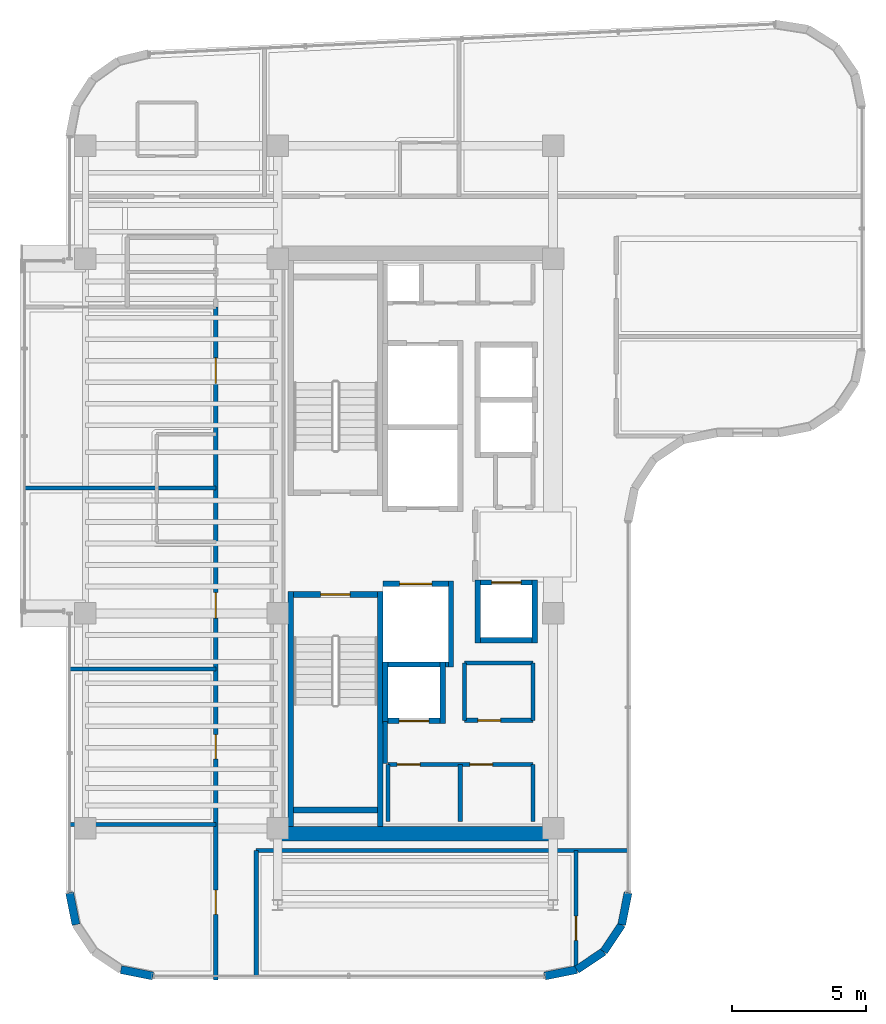
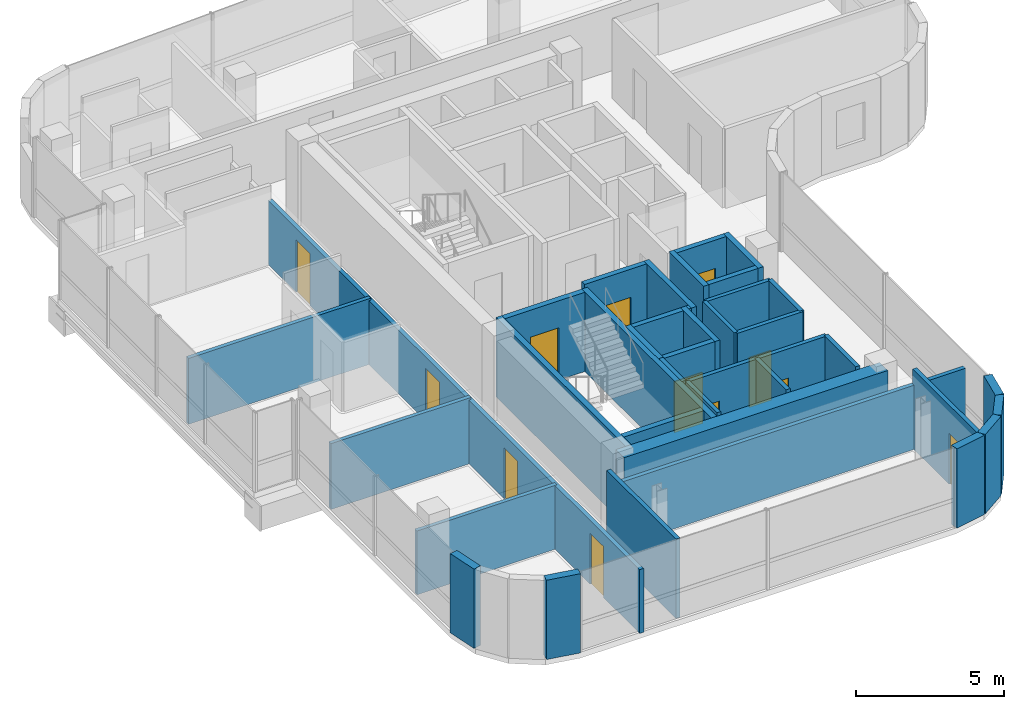
# One storey, part 14 of 20: 37 walls, 12 doors, 12 openings.
"""IFC4 building model written with IfcOpenShell, lengths in metres."""

from ifc_helpers import new_model, si_unit, direction, frame, frame_2d, origin, place, context, subcontext, project, spatial, rectangle, extrude, material, layer, layer_set, type_object, element, fill, save


model = new_model("IFC4")

# Units and contexts
model_context = context("Model", 3, precision=1e-05, world=origin(), true_north=direction((0.0, 1.0)))
body_context = subcontext(model_context, "Body", "Model", "MODEL_VIEW")
ifc_project = project(units=[si_unit("LENGTHUNIT", "METRE"), si_unit("AREAUNIT", "SQUARE_METRE"), si_unit("VOLUMEUNIT", "CUBIC_METRE"), si_unit("PLANEANGLEUNIT", "RADIAN"), si_unit("MASSUNIT", "GRAM", prefix="KILO")], contexts=[model_context])

# Site, building, storey
site_placement = place(None, origin())
site = spatial("IfcSite", under=ifc_project, at=site_placement, CompositionType="ELEMENT")
building_placement = place(site_placement, origin())
building = spatial("IfcBuilding", under=site, at=building_placement, Name="Valdorenza Pilgrim Sanctuary Tower", CompositionType="ELEMENT")
storey_placement = place(building_placement, frame((0.0, 0.0, 280.0)))
storey = spatial("IfcBuildingStorey", under=building, at=storey_placement, Name="L73", CompositionType="ELEMENT", Elevation=280.0)

# Wall
ifc_material_1 = material(Name="Acoustic twin-stud gypsum partition", Category="gypsum")
ifc_layer_1 = layer(ifc_material_1, 0.159912109375, Name="Acoustic twin-stud gypsum partition")
ifc_layer_set_1 = layer_set([ifc_layer_1], Name="Acoustic twin-stud gypsum partition")
wall_type_1 = type_object("IfcWallType", Name="WAL-COR-160", PredefinedType="PARTITIONING", material=ifc_layer_set_1)
wall_1_placement = place(storey_placement, frame((-18.64990234375, -8.179931640625, 0.0), z_axis=(0.0, 0.0, 1.0), x_axis=(0.0, 1.0, 0.0)))
element("IfcWall", 1, at=wall_1_placement, inside=storey, type_object=wall_type_1, Name="L73 Core A South Lift Hall West Wall", PredefinedType="PARTITIONING", context=body_context, shape_type="SweptSolid", body=[
    extrude(rectangle(XDim=1.559814453125, YDim=0.159912109375, at=frame_2d((0.77978515625, 0.0))), origin(), (0.0, 0.0, 1.0), 3.260009765625),
])

# Wall, openings, doors
wall_2_placement = place(storey_placement, frame((-18.550048828125, -8.219970703125, 0.0), z_axis=(0.0, 0.0, 1.0), x_axis=(1.0, 0.0, 0.0)))
wall_2 = element("IfcWall", 2, at=wall_2_placement, inside=storey, type_object=wall_type_1, Name="L73 Freed Shaft 1 North Wall", PredefinedType="PARTITIONING", context=body_context, shape_type="SweptSolid", body=[
    extrude(rectangle(XDim=5.400146484375, YDim=0.159912109375, at=frame_2d((2.7001953125, 0.0))), origin(), (0.0, 0.0, 1.0), 3.260009765625),
])
opening_1_placement = place(wall_2_placement, frame((0.35009765625, 0.0, 0.0)))
opening_1 = element("IfcOpeningElement", 3, at=opening_1_placement, cuts=wall_2, Name="Opening DR-RS1", PredefinedType="OPENING", context=body_context, shape_type="SweptSolid", body=[
    extrude(rectangle(XDim=0.85009765625, YDim=2.050048828125, at=frame_2d((0.425048828125, 1.02490234375))), frame((0.0, 0.0947265625, 0.0), z_axis=(0.0, -1.0, 0.0), x_axis=(1.0, 0.0, 0.0)), (0.0, 0.0, 1.0), 0.189697265625),
])
opening_2_placement = place(wall_2_placement, frame((3.050048828125, 0.0, 0.0)))
opening_2 = element("IfcOpeningElement", 4, at=opening_2_placement, cuts=wall_2, Name="Opening DR-RS1", PredefinedType="OPENING", context=body_context, shape_type="SweptSolid", body=[
    extrude(rectangle(XDim=0.85009765625, YDim=2.050048828125, at=frame_2d((0.425048828125, 1.02490234375))), frame((0.0, 0.0947265625, 0.0), z_axis=(0.0, -1.0, 0.0), x_axis=(1.0, 0.0, 0.0)), (0.0, 0.0, 1.0), 0.189697265625),
])
ifc_material_2 = material(Name="Painted galvanized steel", Category="steel")
door_type_1 = type_object("IfcDoorType", Name="DR-RSR-850", OperationType="NOTDEFINED", PredefinedType="DOOR", material=ifc_material_2)
door_1_placement = place(opening_1_placement, origin())
door_1 = element("IfcDoor", 5, at=door_1_placement, inside=storey, type_object=door_type_1, Name="L73 Linen Store Door", OperationType="SINGLE_SWING_RIGHT", OverallHeight=2.050048828125, OverallWidth=0.85009765625, PredefinedType="DOOR", context=body_context, shape_type="SweptSolid", body=[
    extrude(rectangle(XDim=0.85009765625, YDim=2.050048828125, at=frame_2d((0.425048828125, 1.02490234375))), frame((0.0, 0.02490234375, 0.0), z_axis=(0.0, -1.0, 0.0), x_axis=(1.0, 0.0, 0.0)), (0.0, 0.0, 1.0), 0.050048828125),
])
fill(opening_1, door_1)
door_2_placement = place(opening_2_placement, origin())
door_2 = element("IfcDoor", 6, at=door_2_placement, inside=storey, type_object=door_type_1, Name="L73 Cot Store Door", OperationType="SINGLE_SWING_LEFT", OverallHeight=2.050048828125, OverallWidth=0.85009765625, PredefinedType="DOOR", context=body_context, shape_type="SweptSolid", body=[
    extrude(rectangle(XDim=0.85009765625, YDim=2.050048828125, at=frame_2d((0.425048828125, 1.02490234375))), frame((0.0, 0.02490234375, 0.0), z_axis=(0.0, -1.0, 0.0), x_axis=(1.0, 0.0, 0.0)), (0.0, 0.0, 1.0), 0.050048828125),
])
fill(opening_2, door_2)

# Walls
for number, where, z_axis, x_axis, name in (
    (7, (-13.14990234375, -10.35009765625, 0.0), (0.0, 0.0, 1.0), (0.0, 1.0, 0.0), "L73 Freed Shaft 1 East Wall"),
    (8, (-15.85009765625, -10.35009765625, 0.0), (0.0, 0.0, 1.0), (0.0, 1.0, 0.0), "L73 Freed Shaft 1 Split Wall"),
):
    element("IfcWall", number, at=place(storey_placement, frame(where, z_axis=z_axis, x_axis=x_axis)), inside=storey, type_object=wall_type_1, Name=name, PredefinedType="PARTITIONING", context=body_context, shape_type="SweptSolid", body=[
        extrude(rectangle(XDim=2.130126953125, YDim=0.159912109375, at=frame_2d((1.06494140625, 0.0))), origin(), (0.0, 0.0, 1.0), 3.260009765625),
    ])

# Wall, opening, door
wall_3_placement = place(storey_placement, frame((-15.699951171875, -6.580078125, 0.0), z_axis=(0.0, 0.0, 1.0), x_axis=(1.0, 0.0, 0.0)))
wall_3 = element("IfcWall", 9, at=wall_3_placement, inside=storey, type_object=wall_type_1, Name="L73 Freed Shaft 2 South Wall", PredefinedType="PARTITIONING", context=body_context, shape_type="SweptSolid", body=[
    extrude(rectangle(XDim=2.550048828125, YDim=0.159912109375, at=frame_2d((1.27490234375, 0.0))), origin(), (0.0, 0.0, 1.0), 3.260009765625),
])
opening_3_placement = place(wall_3_placement, frame((0.5, 0.0, 0.0)))
opening_3 = element("IfcOpeningElement", 10, at=opening_3_placement, cuts=wall_3, Name="Opening DR-RS1", PredefinedType="OPENING", context=body_context, shape_type="SweptSolid", body=[
    extrude(rectangle(XDim=0.85009765625, YDim=2.050048828125, at=frame_2d((0.425048828125, 1.02490234375))), frame((0.0, 0.0947265625, 0.0), z_axis=(0.0, -1.0, 0.0), x_axis=(1.0, 0.0, 0.0)), (0.0, 0.0, 1.0), 0.189697265625),
])
door_3_placement = place(opening_3_placement, origin())
door_3 = element("IfcDoor", 11, at=door_3_placement, inside=storey, type_object=door_type_1, Name="L73 Guest Tea Pantry Door", OperationType="SINGLE_SWING_RIGHT", OverallHeight=2.050048828125, OverallWidth=0.85009765625, PredefinedType="DOOR", context=body_context, shape_type="SweptSolid", body=[
    extrude(rectangle(XDim=0.85009765625, YDim=2.050048828125, at=frame_2d((0.425048828125, 1.02490234375))), frame((0.0, 0.02490234375, 0.0), z_axis=(0.0, -1.0, 0.0), x_axis=(1.0, 0.0, 0.0)), (0.0, 0.0, 1.0), 0.050048828125),
])
fill(opening_3, door_3)

# Walls
wall_4_placement = place(storey_placement, frame((-13.14990234375, -6.580078125, 0.0), z_axis=(0.0, 0.0, 1.0), x_axis=(0.0, 1.0, 0.0)))
element("IfcWall", 12, at=wall_4_placement, inside=storey, type_object=wall_type_1, Name="L73 Freed Shaft 2 East Wall", PredefinedType="PARTITIONING", context=body_context, shape_type="SweptSolid", body=[
    extrude(rectangle(XDim=2.130126953125, YDim=0.159912109375, at=frame_2d((1.06494140625, 0.0))), origin(), (0.0, 0.0, 1.0), 3.260009765625),
])
wall_5_placement = place(storey_placement, frame((-23.449951171875, -11.419921875, 0.0), z_axis=(0.0, 0.0, 1.0), x_axis=(1.0, 0.0, 0.0)))
element("IfcWall", 13, at=wall_5_placement, inside=storey, type_object=wall_type_1, Name="L73 South-East Pocket North Wall", PredefinedType="PARTITIONING", context=body_context, shape_type="SweptSolid", body=[
    extrude(rectangle(XDim=13.83984375, YDim=0.159912109375, at=frame_2d((6.919921875, 0.0))), origin(), (0.0, 0.0, 1.0), 2.634033203125),
])
wall_6_placement = place(storey_placement, frame((-23.449951171875, -16.090087890625, 0.0), z_axis=(0.0, 0.0, 1.0), x_axis=(0.0, 1.0, 0.0)))
element("IfcWall", 14, at=wall_6_placement, inside=storey, type_object=wall_type_1, Name="L73 South-East Pocket West Wall", PredefinedType="PARTITIONING", context=body_context, shape_type="SweptSolid", body=[
    extrude(rectangle(XDim=4.670166015625, YDim=0.159912109375, at=frame_2d((2.3349609375, 0.0))), origin(), (0.0, 0.0, 1.0), 3.260009765625),
])

# Wall, openings, doors
wall_7_placement = place(storey_placement, frame((-24.949951171875, -16.239990234375, 0.0), z_axis=(0.0, 0.0, 1.0), x_axis=(0.0, 1.0, 0.0)))
wall_7 = element("IfcWall", 15, at=wall_7_placement, inside=storey, type_object=wall_type_1, Name="L73 West Wing Corridor Wall", PredefinedType="PARTITIONING", context=body_context, shape_type="SweptSolid", body=[
    extrude(rectangle(XDim=25.0400390625, YDim=0.159912109375, at=frame_2d((12.52001953125, 0.0))), origin(), (0.0, 0.0, 1.0), 2.623046875),
])
opening_4_placement = place(wall_7_placement, frame((2.44189453125, 0.0, 0.0)))
opening_4 = element("IfcOpeningElement", 16, at=opening_4_placement, cuts=wall_7, Name="Opening DR-RM1", PredefinedType="OPENING", context=body_context, shape_type="SweptSolid", body=[
    extrude(rectangle(XDim=0.89990234375, YDim=2.10009765625, at=frame_2d((0.449951171875, 1.050048828125))), frame((0.0, 0.0947265625, 0.0), z_axis=(0.0, -1.0, 0.0), x_axis=(1.0, 0.0, 0.0)), (0.0, 0.0, 1.0), 0.189697265625),
])
opening_5_placement = place(wall_7_placement, frame((8.22705078125, 0.0, 0.0)))
opening_5 = element("IfcOpeningElement", 17, at=opening_5_placement, cuts=wall_7, Name="Opening DR-RM1", PredefinedType="OPENING", context=body_context, shape_type="SweptSolid", body=[
    extrude(rectangle(XDim=0.89990234375, YDim=2.10009765625, at=frame_2d((0.449951171875, 1.050048828125))), frame((0.0, 0.0947265625, 0.0), z_axis=(0.0, -1.0, 0.0), x_axis=(1.0, 0.0, 0.0)), (0.0, 0.0, 1.0), 0.189697265625),
])
opening_6_placement = place(wall_7_placement, frame((13.462890625, 0.0, 0.0)))
opening_6 = element("IfcOpeningElement", 18, at=opening_6_placement, cuts=wall_7, Name="Opening DR-UN1", PredefinedType="OPENING", context=body_context, shape_type="SweptSolid", body=[
    extrude(rectangle(XDim=0.949951171875, YDim=2.14990234375, at=frame_2d((0.47509765625, 1.074951171875))), frame((0.0, 0.0947265625, 0.0), z_axis=(0.0, -1.0, 0.0), x_axis=(1.0, 0.0, 0.0)), (0.0, 0.0, 1.0), 0.189697265625),
])
opening_7_placement = place(wall_7_placement, frame((22.197021484375, 0.0, 0.0)))
opening_7 = element("IfcOpeningElement", 19, at=opening_7_placement, cuts=wall_7, Name="Opening DR-UN1", PredefinedType="OPENING", context=body_context, shape_type="SweptSolid", body=[
    extrude(rectangle(XDim=0.949951171875, YDim=2.14990234375, at=frame_2d((0.47509765625, 1.074951171875))), frame((0.0, 0.0947265625, 0.0), z_axis=(0.0, -1.0, 0.0), x_axis=(1.0, 0.0, 0.0)), (0.0, 0.0, 1.0), 0.189697265625),
])
ifc_material_3 = material(Name="Solid-core European oak timber", Category="wood")
door_type_2 = type_object("IfcDoorType", Name="DR-ROOM-900", OperationType="NOTDEFINED", PredefinedType="DOOR", material=ifc_material_3)
door_4_placement = place(opening_4_placement, frame((0.89990234375, 0.0, 0.0), z_axis=(0.0, 0.0, 1.0), x_axis=(-1.0, 0.0, 0.0)))
door_4 = element("IfcDoor", 20, at=door_4_placement, inside=storey, type_object=door_type_2, Name="L73 Sacred Art Exhibition Gallery L73 Door", OperationType="SINGLE_SWING_LEFT", OverallHeight=2.10009765625, OverallWidth=0.89990234375, PredefinedType="DOOR", context=body_context, shape_type="SweptSolid", body=[
    extrude(rectangle(XDim=0.89990234375, YDim=2.10009765625, at=frame_2d((0.449951171875, 1.050048828125))), frame((0.0, 0.02490234375, 0.0), z_axis=(0.0, -1.0, 0.0), x_axis=(1.0, 0.0, 0.0)), (0.0, 0.0, 1.0), 0.050048828125),
])
fill(opening_4, door_4)
door_5_placement = place(opening_5_placement, origin())
door_5 = element("IfcDoor", 21, at=door_5_placement, inside=storey, type_object=door_type_2, Name="L73 Theological Reference Library L73 Door", OperationType="SINGLE_SWING_RIGHT", OverallHeight=2.10009765625, OverallWidth=0.89990234375, PredefinedType="DOOR", context=body_context, shape_type="SweptSolid", body=[
    extrude(rectangle(XDim=0.89990234375, YDim=2.10009765625, at=frame_2d((0.449951171875, 1.050048828125))), frame((0.0, 0.02490234375, 0.0), z_axis=(0.0, -1.0, 0.0), x_axis=(1.0, 0.0, 0.0)), (0.0, 0.0, 1.0), 0.050048828125),
])
fill(opening_5, door_5)
door_type_3 = type_object("IfcDoorType", Name="DR-UNIT-950", OperationType="NOTDEFINED", PredefinedType="DOOR", material=ifc_material_3)
door_6_placement = place(opening_6_placement, frame((0.949951171875, 0.0, 0.0), z_axis=(0.0, 0.0, 1.0), x_axis=(-1.0, 0.0, 0.0)))
door_6 = element("IfcDoor", 22, at=door_6_placement, inside=storey, type_object=door_type_3, Name="L73 Pilgrim Guest Room L73-GW1A Entrance Door", OperationType="SINGLE_SWING_LEFT", OverallHeight=2.14990234375, OverallWidth=0.949951171875, PredefinedType="DOOR", context=body_context, shape_type="SweptSolid", body=[
    extrude(rectangle(XDim=0.949951171875, YDim=2.14990234375, at=frame_2d((0.47509765625, 1.074951171875))), frame((0.0, 0.02490234375, 0.0), z_axis=(0.0, -1.0, 0.0), x_axis=(1.0, 0.0, 0.0)), (0.0, 0.0, 1.0), 0.050048828125),
])
fill(opening_6, door_6)
door_7_placement = place(opening_7_placement, frame((0.949951171875, 0.0, 0.0), z_axis=(0.0, 0.0, 1.0), x_axis=(-1.0, 0.0, 0.0)))
door_7 = element("IfcDoor", 23, at=door_7_placement, inside=storey, type_object=door_type_3, Name="L73 Pilgrim Guest Room L73-GW1B Entrance Door", OperationType="SINGLE_SWING_LEFT", OverallHeight=2.14990234375, OverallWidth=0.949951171875, PredefinedType="DOOR", context=body_context, shape_type="SweptSolid", body=[
    extrude(rectangle(XDim=0.949951171875, YDim=2.14990234375, at=frame_2d((0.47509765625, 1.074951171875))), frame((0.0, 0.02490234375, 0.0), z_axis=(0.0, -1.0, 0.0), x_axis=(1.0, 0.0, 0.0)), (0.0, 0.0, 1.0), 0.050048828125),
])
fill(opening_7, door_7)

# Wall, opening, door
wall_8_placement = place(storey_placement, frame((-11.550048828125, -15.7236328125, 0.0), z_axis=(0.0, 0.0, 1.0), x_axis=(0.0, 1.0, 0.0)))
wall_8 = element("IfcWall", 24, at=wall_8_placement, inside=storey, type_object=wall_type_1, Name="L73 South-East Concourse Wall", PredefinedType="PARTITIONING", context=body_context, shape_type="SweptSolid", body=[
    extrude(rectangle(XDim=4.3037109375, YDim=0.159912109375, at=frame_2d((2.15185546875, 0.0))), origin(), (0.0, 0.0, 1.0), 3.260009765625),
])
opening_8_placement = place(wall_8_placement, frame((0.9599609375, 0.0, 0.0)))
opening_8 = element("IfcOpeningElement", 25, at=opening_8_placement, cuts=wall_8, Name="Opening DR-RM1", PredefinedType="OPENING", context=body_context, shape_type="SweptSolid", body=[
    extrude(rectangle(XDim=0.89990234375, YDim=2.10009765625, at=frame_2d((0.449951171875, 1.050048828125))), frame((0.0, 0.0947265625, 0.0), z_axis=(0.0, -1.0, 0.0), x_axis=(1.0, 0.0, 0.0)), (0.0, 0.0, 1.0), 0.189697265625),
])
door_8_placement = place(opening_8_placement, frame((0.89990234375, 0.0, 0.0), z_axis=(0.0, 0.0, 1.0), x_axis=(-1.0, 0.0, 0.0)))
door_8 = element("IfcDoor", 26, at=door_8_placement, inside=storey, type_object=door_type_2, Name="L73 South Contemplation Lounge L73 Door", OperationType="SINGLE_SWING_LEFT", OverallHeight=2.10009765625, OverallWidth=0.89990234375, PredefinedType="DOOR", context=body_context, shape_type="SweptSolid", body=[
    extrude(rectangle(XDim=0.89990234375, YDim=2.10009765625, at=frame_2d((0.449951171875, 1.050048828125))), frame((0.0, 0.02490234375, 0.0), z_axis=(0.0, -1.0, 0.0), x_axis=(1.0, 0.0, 0.0)), (0.0, 0.0, 1.0), 0.050048828125),
])
fill(opening_8, door_8)

# Walls
ifc_material_4 = material(Name="Concrete C50/60", Category="concrete")
ifc_layer_2 = layer(ifc_material_4, 0.550048828125, Name="Concrete C50/60")
ifc_layer_set_2 = layer_set([ifc_layer_2], Name="Concrete C50/60")
wall_type_2 = type_object("IfcWallType", Name="WAL-COR-550", PredefinedType="SHEAR", material=ifc_layer_set_2)
wall_9_placement = place(storey_placement, frame((-22.64990234375, -10.800048828125, 0.0), z_axis=(0.0, 0.0, 1.0), x_axis=(1.0, 0.0, 0.0)))
element("IfcWall", 27, at=wall_9_placement, inside=storey, type_object=wall_type_2, Name="L73 Split Core A Shear Wall S", PredefinedType="SHEAR", context=body_context, shape_type="SweptSolid", body=[
    extrude(rectangle(XDim=10.25, YDim=0.550048828125, at=frame_2d((5.125, 0.0))), origin(), (0.0, 0.0, 1.0), 3.260009765625),
])
ifc_material_5 = material(Name="Honed travertine limestone", Category="masonry")
ifc_layer_3 = layer(ifc_material_5, 0.300048828125, Name="Honed travertine limestone")
ifc_layer_set_3 = layer_set([ifc_layer_3], Name="Honed travertine limestone")
wall_type_3 = type_object("IfcWallType", Name="WAL-EXT-300", PredefinedType="SOLIDWALL", material=ifc_layer_set_3)
wall_10_placement = place(storey_placement, frame((-9.610107421875, -12.9892578125, 0.0), z_axis=(0.0, 0.0, 1.0), x_axis=(-0.194996050505, -0.980804027463, 0.0)))
element("IfcWall", 28, at=wall_10_placement, inside=storey, type_object=wall_type_3, Name="L73 Rounded Wind-Corner Stone Pier 22", PredefinedType="SOLIDWALL", context=body_context, shape_type="SweptSolid", body=[
    extrude(rectangle(XDim=1.2158203125, YDim=0.300048828125, at=frame_2d((0.60791015625, 0.0))), origin(), (0.0, 0.0, 1.0), 3.260009765625),
])
for number, where, z_axis, x_axis, name in (
    (29, (-9.84716796875, -14.181640625, 0.0), (0.0, 0.0, 1.0), (-0.555635100982, -0.831426265255, 0.0), "L73 Rounded Wind-Corner Stone Pier 23"),
    (30, (-10.5166015625, -15.183349609375, 0.0), (0.0, 0.0, 1.0), (-0.831426265255, -0.555635100982, 0.0), "L73 Rounded Wind-Corner Stone Pier 24"),
):
    element("IfcWall", number, at=place(storey_placement, frame(where, z_axis=z_axis, x_axis=x_axis)), inside=storey, type_object=wall_type_3, Name=name, PredefinedType="SOLIDWALL", context=body_context, shape_type="SweptSolid", body=[
        extrude(rectangle(XDim=1.204833984375, YDim=0.300048828125, at=frame_2d((0.6025390625, 0.0))), origin(), (0.0, 0.0, 1.0), 3.260009765625),
    ])
for number, where, z_axis, x_axis, name in (
    (31, (-11.518310546875, -15.852783203125, 0.0), (0.0, 0.0, 1.0), (-0.980765602568, -0.195189223115, 0.0), "L73 Rounded Wind-Corner Stone Pier 25"),
    (32, (-27.289306640625, -16.090087890625, 0.0), (0.0, 0.0, 1.0), (-0.980765602568, 0.195189223115, 0.0), "L73 Rounded Wind-Corner Stone Pier 27"),
    (33, (-30.15283203125, -14.181640625, 0.0), (0.0, 0.0, 1.0), (-0.194996050505, 0.980804027463, 0.0), "L73 Rounded Wind-Corner Stone Pier 30"),
):
    element("IfcWall", number, at=place(storey_placement, frame(where, z_axis=z_axis, x_axis=x_axis)), inside=storey, type_object=wall_type_3, Name=name, PredefinedType="SOLIDWALL", context=body_context, shape_type="SweptSolid", body=[
        extrude(rectangle(XDim=1.2158203125, YDim=0.300048828125, at=frame_2d((0.60791015625, 0.0))), origin(), (0.0, 0.0, 1.0), 3.260009765625),
    ])
ifc_material_6 = material(Name="Autoclaved aerated concrete blockwork", Category="masonry")
ifc_layer_4 = layer(ifc_material_6, 0.199951171875, Name="Autoclaved aerated concrete blockwork")
ifc_layer_set_4 = layer_set([ifc_layer_4], Name="Autoclaved aerated concrete blockwork")
wall_type_4 = type_object("IfcWallType", Name="WAL-SHF-200", PredefinedType="MOVABLE", material=ifc_layer_set_4)
wall_11_placement = place(storey_placement, frame((-16.199951171875, -4.60009765625, 0.0), z_axis=(0.0, 0.0, 1.0), x_axis=(0.0, 1.0, 0.0)))
element("IfcWall", 34, at=wall_11_placement, inside=storey, type_object=wall_type_4, Name="L73 Lift FFL-02 Hoistway Wall East", PredefinedType="MOVABLE", context=body_context, shape_type="SweptSolid", body=[
    extrude(rectangle(XDim=3.2001953125, YDim=0.199951171875, at=frame_2d((1.60009765625, 0.0))), origin(), (0.0, 0.0, 1.0), 3.260009765625),
])
wall_12_placement = place(storey_placement, frame((-18.719970703125, -4.5, 0.0), z_axis=(0.0, 0.0, 1.0), x_axis=(1.0, 0.0, 0.0)))
element("IfcWall", 35, at=wall_12_placement, inside=storey, type_object=wall_type_4, Name="L73 Lift FFL-02 Hoistway Wall South", PredefinedType="MOVABLE", context=body_context, shape_type="SweptSolid", body=[
    extrude(rectangle(XDim=2.419921875, YDim=0.199951171875, at=frame_2d((1.2099609375, 0.0))), origin(), (0.0, 0.0, 1.0), 3.260009765625),
])

# Wall, opening, door
wall_13_placement = place(storey_placement, frame((-18.719970703125, -1.5, 0.0), z_axis=(0.0, 0.0, 1.0), x_axis=(1.0, 0.0, 0.0)))
wall_13 = element("IfcWall", 36, at=wall_13_placement, inside=storey, type_object=wall_type_4, Name="L73 Lift FFL-02 Hoistway Wall North", PredefinedType="MOVABLE", context=body_context, shape_type="SweptSolid", body=[
    extrude(rectangle(XDim=2.419921875, YDim=0.199951171875, at=frame_2d((1.2099609375, 0.0))), origin(), (0.0, 0.0, 1.0), 3.260009765625),
])
opening_9_placement = place(wall_13_placement, frame((0.610107421875, 0.0, 0.0)))
opening_9 = element("IfcOpeningElement", 37, at=opening_9_placement, cuts=wall_13, Name="Opening LD-02", PredefinedType="OPENING", context=body_context, shape_type="SweptSolid", body=[
    extrude(rectangle(XDim=1.199951171875, YDim=2.10009765625, at=frame_2d((0.60009765625, 1.050048828125))), frame((0.0, 0.11474609375, 0.0), z_axis=(0.0, -1.0, 0.0), x_axis=(1.0, 0.0, 0.0)), (0.0, 0.0, 1.0), 0.229736328125),
])
ifc_material_7 = material(Name="Brushed stainless steel Grade 316", Category="steel")
door_type_4 = type_object("IfcDoorType", Name="DR-LFT-1200", OperationType="DOUBLE_DOOR_SLIDING", PredefinedType="DOOR", material=ifc_material_7)
door_9_placement = place(opening_9_placement, origin())
door_9 = element("IfcDoor", 38, at=door_9_placement, inside=storey, type_object=door_type_4, Name="L73 Lift FFL-02 Sliding Landing Door", OperationType="DOUBLE_DOOR_SLIDING", OverallHeight=2.10009765625, OverallWidth=1.199951171875, PredefinedType="DOOR", context=body_context, shape_type="SweptSolid", body=[
    extrude(rectangle(XDim=1.199951171875, YDim=2.10009765625, at=frame_2d((0.60009765625, 1.050048828125))), frame((0.0, 0.02490234375, 0.0), z_axis=(0.0, -1.0, 0.0), x_axis=(1.0, 0.0, 0.0)), (0.0, 0.0, 1.0), 0.050048828125),
])
fill(opening_9, door_9)

# Walls
for number, where, z_axis, x_axis, name in (
    (39, (-18.64990234375, -6.699951171875, 0.0), (0.0, 0.0, 1.0), (0.0, 1.0, 0.0), "L73 Lift PL-11 Hoistway Wall West"),
    (40, (-16.5, -6.699951171875, 0.0), (0.0, 0.0, 1.0), (0.0, 1.0, 0.0), "L73 Lift PL-11 Hoistway Wall East"),
):
    element("IfcWall", number, at=place(storey_placement, frame(where, z_axis=z_axis, x_axis=x_axis)), inside=storey, type_object=wall_type_4, Name=name, PredefinedType="MOVABLE", context=body_context, shape_type="SweptSolid", body=[
        extrude(rectangle(XDim=2.300048828125, YDim=0.199951171875, at=frame_2d((1.14990234375, 0.0))), origin(), (0.0, 0.0, 1.0), 3.260009765625),
    ])

# Wall, opening, door
wall_14_placement = place(storey_placement, frame((-18.550048828125, -6.60009765625, 0.0), z_axis=(0.0, 0.0, 1.0), x_axis=(1.0, 0.0, 0.0)))
wall_14 = element("IfcWall", 41, at=wall_14_placement, inside=storey, type_object=wall_type_4, Name="L73 Lift PL-11 Hoistway Wall South", PredefinedType="MOVABLE", context=body_context, shape_type="SweptSolid", body=[
    extrude(rectangle(XDim=1.949951171875, YDim=0.199951171875, at=frame_2d((0.97509765625, 0.0))), origin(), (0.0, 0.0, 1.0), 3.260009765625),
])
opening_10_placement = place(wall_14_placement, frame((0.425048828125, 0.0, 0.0)))
opening_10 = element("IfcOpeningElement", 42, at=opening_10_placement, cuts=wall_14, Name="Opening LD-01", PredefinedType="OPENING", context=body_context, shape_type="SweptSolid", body=[
    extrude(rectangle(XDim=1.10009765625, YDim=2.10009765625, at=frame_2d((0.550048828125, 1.050048828125))), frame((0.0, 0.11474609375, 0.0), z_axis=(0.0, -1.0, 0.0), x_axis=(1.0, 0.0, 0.0)), (0.0, 0.0, 1.0), 0.229736328125),
])
door_type_5 = type_object("IfcDoorType", Name="DR-LFT-1100", OperationType="DOUBLE_DOOR_SLIDING", PredefinedType="DOOR", material=ifc_material_7)
door_10_placement = place(opening_10_placement, origin())
door_10 = element("IfcDoor", 43, at=door_10_placement, inside=storey, type_object=door_type_5, Name="L73 Lift PL-11 Sliding Landing Door", OperationType="DOUBLE_DOOR_SLIDING", OverallHeight=2.10009765625, OverallWidth=1.10009765625, PredefinedType="DOOR", context=body_context, shape_type="SweptSolid", body=[
    extrude(rectangle(XDim=1.10009765625, YDim=2.10009765625, at=frame_2d((0.550048828125, 1.050048828125))), frame((0.0, 0.02490234375, 0.0), z_axis=(0.0, -1.0, 0.0), x_axis=(1.0, 0.0, 0.0)), (0.0, 0.0, 1.0), 0.050048828125),
])
fill(opening_10, door_10)

# Walls
for number, where, z_axis, x_axis, name in (
    (44, (-15.199951171875, -3.699951171875, 0.0), (0.0, 0.0, 1.0), (0.0, 1.0, 0.0), "L73 Lift PL-12 Hoistway Wall West"),
    (45, (-13.080078125, -3.699951171875, 0.0), (0.0, 0.0, 1.0), (0.0, 1.0, 0.0), "L73 Lift PL-12 Hoistway Wall East"),
):
    element("IfcWall", number, at=place(storey_placement, frame(where, z_axis=z_axis, x_axis=x_axis)), inside=storey, type_object=wall_type_4, Name=name, PredefinedType="MOVABLE", context=body_context, shape_type="SweptSolid", body=[
        extrude(rectangle(XDim=2.349853515625, YDim=0.199951171875, at=frame_2d((1.1748046875, 0.0))), origin(), (0.0, 0.0, 1.0), 3.260009765625),
    ])
wall_15_placement = place(storey_placement, frame((-15.10009765625, -3.60009765625, 0.0), z_axis=(0.0, 0.0, 1.0), x_axis=(1.0, 0.0, 0.0)))
element("IfcWall", 46, at=wall_15_placement, inside=storey, type_object=wall_type_4, Name="L73 Lift PL-12 Hoistway Wall South", PredefinedType="MOVABLE", context=body_context, shape_type="SweptSolid", body=[
    extrude(rectangle(XDim=1.920166015625, YDim=0.199951171875, at=frame_2d((0.9599609375, 0.0))), origin(), (0.0, 0.0, 1.0), 3.260009765625),
])

# Wall, opening, door
wall_16_placement = place(storey_placement, frame((-15.10009765625, -1.449951171875, 0.0), z_axis=(0.0, 0.0, 1.0), x_axis=(1.0, 0.0, 0.0)))
wall_16 = element("IfcWall", 47, at=wall_16_placement, inside=storey, type_object=wall_type_4, Name="L73 Lift PL-12 Hoistway Wall North", PredefinedType="MOVABLE", context=body_context, shape_type="SweptSolid", body=[
    extrude(rectangle(XDim=1.920166015625, YDim=0.199951171875, at=frame_2d((0.9599609375, 0.0))), origin(), (0.0, 0.0, 1.0), 3.260009765625),
])
opening_11_placement = place(wall_16_placement, frame((0.409912109375, 0.0, 0.0)))
opening_11 = element("IfcOpeningElement", 48, at=opening_11_placement, cuts=wall_16, Name="Opening LD-01", PredefinedType="OPENING", context=body_context, shape_type="SweptSolid", body=[
    extrude(rectangle(XDim=1.10009765625, YDim=2.10009765625, at=frame_2d((0.550048828125, 1.050048828125))), frame((0.0, 0.11474609375, 0.0), z_axis=(0.0, -1.0, 0.0), x_axis=(1.0, 0.0, 0.0)), (0.0, 0.0, 1.0), 0.229736328125),
])
door_11_placement = place(opening_11_placement, origin())
door_11 = element("IfcDoor", 49, at=door_11_placement, inside=storey, type_object=door_type_5, Name="L73 Lift PL-12 Sliding Landing Door", OperationType="DOUBLE_DOOR_SLIDING", OverallHeight=2.10009765625, OverallWidth=1.10009765625, PredefinedType="DOOR", context=body_context, shape_type="SweptSolid", body=[
    extrude(rectangle(XDim=1.10009765625, YDim=2.10009765625, at=frame_2d((0.550048828125, 1.050048828125))), frame((0.0, 0.02490234375, 0.0), z_axis=(0.0, -1.0, 0.0), x_axis=(1.0, 0.0, 0.0)), (0.0, 0.0, 1.0), 0.050048828125),
])
fill(opening_11, door_11)

# Walls
ifc_material_8 = material(Name="Concrete C40/50", Category="concrete")
ifc_layer_5 = layer(ifc_material_8, 0.219970703125, Name="Concrete C40/50")
ifc_layer_set_5 = layer_set([ifc_layer_5], Name="Concrete C40/50")
wall_type_5 = type_object("IfcWallType", Name="WAL-STR-SHF-220", PredefinedType="SHEAR", material=ifc_layer_set_5)
for number, where, z_axis, x_axis, name in (
    (50, (-22.159912109375, -10.52490234375, 0.0), (0.0, 0.0, 1.0), (0.0, 1.0, 0.0), "L73 ST-A2 Structural Stairwell Wall W"),
    (51, (-18.830078125, -10.52490234375, 0.0), (0.0, 0.0, 1.0), (0.0, 1.0, 0.0), "L73 ST-A2 Structural Stairwell Wall E"),
):
    element("IfcWall", number, at=place(storey_placement, frame(where, z_axis=z_axis, x_axis=x_axis)), inside=storey, type_object=wall_type_5, Name=name, PredefinedType="SHEAR", context=body_context, shape_type="SweptSolid", body=[
        extrude(rectangle(XDim=8.744873046875, YDim=0.219970703125, at=frame_2d((4.37255859375, 0.0))), origin(), (0.0, 0.0, 1.0), 3.260009765625),
    ])
wall_17_placement = place(storey_placement, frame((-22.050048828125, -9.909912109375, 0.0), z_axis=(0.0, 0.0, 1.0), x_axis=(1.0, 0.0, 0.0)))
element("IfcWall", 52, at=wall_17_placement, inside=storey, type_object=wall_type_5, Name="L73 ST-A2 Structural Stairwell Wall S", PredefinedType="SHEAR", context=body_context, shape_type="SweptSolid", body=[
    extrude(rectangle(XDim=3.110107421875, YDim=0.219970703125, at=frame_2d((1.55517578125, 0.0))), origin(), (0.0, 0.0, 1.0), 3.260009765625),
])

# Wall, opening, door
wall_18_placement = place(storey_placement, frame((-22.050048828125, -1.889892578125, 0.0), z_axis=(0.0, 0.0, 1.0), x_axis=(1.0, 0.0, 0.0)))
wall_18 = element("IfcWall", 53, at=wall_18_placement, inside=storey, type_object=wall_type_5, Name="L73 ST-A2 Structural Stairwell Wall N", PredefinedType="SHEAR", context=body_context, shape_type="SweptSolid", body=[
    extrude(rectangle(XDim=3.110107421875, YDim=0.219970703125, at=frame_2d((1.55517578125, 0.0))), origin(), (0.0, 0.0, 1.0), 3.260009765625),
])
opening_12_placement = place(wall_18_placement, frame((1.0, 0.0, 0.0)))
opening_12 = element("IfcOpeningElement", 54, at=opening_12_placement, cuts=wall_18, Name="Opening DR-ST1", PredefinedType="OPENING", context=body_context, shape_type="SweptSolid", body=[
    extrude(rectangle(XDim=1.10009765625, YDim=2.14990234375, at=frame_2d((0.550048828125, 1.074951171875))), frame((0.0, 0.125, 0.0), z_axis=(0.0, -1.0, 0.0), x_axis=(1.0, 0.0, 0.0)), (0.0, 0.0, 1.0), 0.249755859375),
])
door_type_6 = type_object("IfcDoorType", Name="DR-STAIR-1100", OperationType="NOTDEFINED", PredefinedType="DOOR", material=ifc_material_2)
door_12_placement = place(opening_12_placement, origin())
door_12 = element("IfcDoor", 55, at=door_12_placement, inside=storey, type_object=door_type_6, Name="L73 Exit Stair ST-A2 Door", OperationType="SINGLE_SWING_RIGHT", OverallHeight=2.14990234375, OverallWidth=1.10009765625, PredefinedType="DOOR", context=body_context, shape_type="SweptSolid", body=[
    extrude(rectangle(XDim=1.10009765625, YDim=2.14990234375, at=frame_2d((0.550048828125, 1.074951171875))), frame((0.0, 0.02490234375, 0.0), z_axis=(0.0, -1.0, 0.0), x_axis=(1.0, 0.0, 0.0)), (0.0, 0.0, 1.0), 0.050048828125),
])
fill(opening_12, door_12)

# Walls
ifc_layer_6 = layer(ifc_material_1, 0.14990234375, Name="Acoustic twin-stud gypsum partition")
ifc_layer_set_6 = layer_set([ifc_layer_6], Name="Acoustic twin-stud gypsum partition")
wall_type_6 = type_object("IfcWallType", Name="WAL-UNT-150", PredefinedType="PARTITIONING", material=ifc_layer_set_6)
for number, where, z_axis, x_axis, name in (
    (56, (-18.550048828125, -10.35009765625, 0.0), (0.0, 0.0, 1.0), (0.0, 1.0, 0.0), "L73 Freed Shaft 1 West Wall"),
    (57, (-15.699951171875, -6.580078125, 0.0), (0.0, 0.0, 1.0), (0.0, 1.0, 0.0), "L73 Freed Shaft 2 West Wall"),
):
    element("IfcWall", number, at=place(storey_placement, frame(where, z_axis=z_axis, x_axis=x_axis)), inside=storey, type_object=wall_type_6, Name=name, PredefinedType="PARTITIONING", context=body_context, shape_type="SweptSolid", body=[
        extrude(rectangle(XDim=2.130126953125, YDim=0.14990234375, at=frame_2d((1.06494140625, 0.0))), origin(), (0.0, 0.0, 1.0), 3.260009765625),
    ])
wall_19_placement = place(storey_placement, frame((-15.699951171875, -4.449951171875, 0.0), z_axis=(0.0, 0.0, 1.0), x_axis=(1.0, 0.0, 0.0)))
element("IfcWall", 58, at=wall_19_placement, inside=storey, type_object=wall_type_6, Name="L73 Freed Shaft 2 North Wall", PredefinedType="PARTITIONING", context=body_context, shape_type="SweptSolid", body=[
    extrude(rectangle(XDim=2.550048828125, YDim=0.14990234375, at=frame_2d((1.27490234375, 0.0))), origin(), (0.0, 0.0, 1.0), 3.260009765625),
])
wall_20_placement = place(storey_placement, frame((-30.389892578125, -4.669921875, 0.0), z_axis=(0.0, 0.0, 1.0), x_axis=(1.0, 0.0, 0.0)))
element("IfcWall", 59, at=wall_20_placement, inside=storey, type_object=wall_type_6, Name="L73 West Gallery Split", PredefinedType="PARTITIONING", context=body_context, shape_type="SweptSolid", body=[
    extrude(rectangle(XDim=5.43994140625, YDim=0.14990234375, at=frame_2d((2.719970703125, 0.0))), origin(), (0.0, 0.0, 1.0), 2.7060546875),
])
wall_21_placement = place(storey_placement, frame((-30.389892578125, -10.455078125, 0.0), z_axis=(0.0, 0.0, 1.0), x_axis=(1.0, 0.0, 0.0)))
element("IfcWall", 60, at=wall_21_placement, inside=storey, type_object=wall_type_6, Name="L73 Theological Reference Library L73 Demising Wall", PredefinedType="PARTITIONING", context=body_context, shape_type="SweptSolid", body=[
    extrude(rectangle(XDim=5.43994140625, YDim=0.14990234375, at=frame_2d((2.719970703125, 0.0))), origin(), (0.0, 0.0, 1.0), 2.623046875),
])
wall_22_placement = place(storey_placement, frame((-32.0400390625, 2.06494140625, 0.0), z_axis=(0.0, 0.0, 1.0), x_axis=(1.0, 0.0, 0.0)))
element("IfcWall", 61, at=wall_22_placement, inside=storey, type_object=wall_type_6, Name="L73 Pilgrim Guest Room L73-GW1 Split Wall", PredefinedType="PARTITIONING", context=body_context, shape_type="SweptSolid", body=[
    extrude(rectangle(XDim=7.090087890625, YDim=0.14990234375, at=frame_2d((3.544921875, 0.0))), origin(), (0.0, 0.0, 1.0), 2.7060546875),
])

save(model, "model.ifc")
